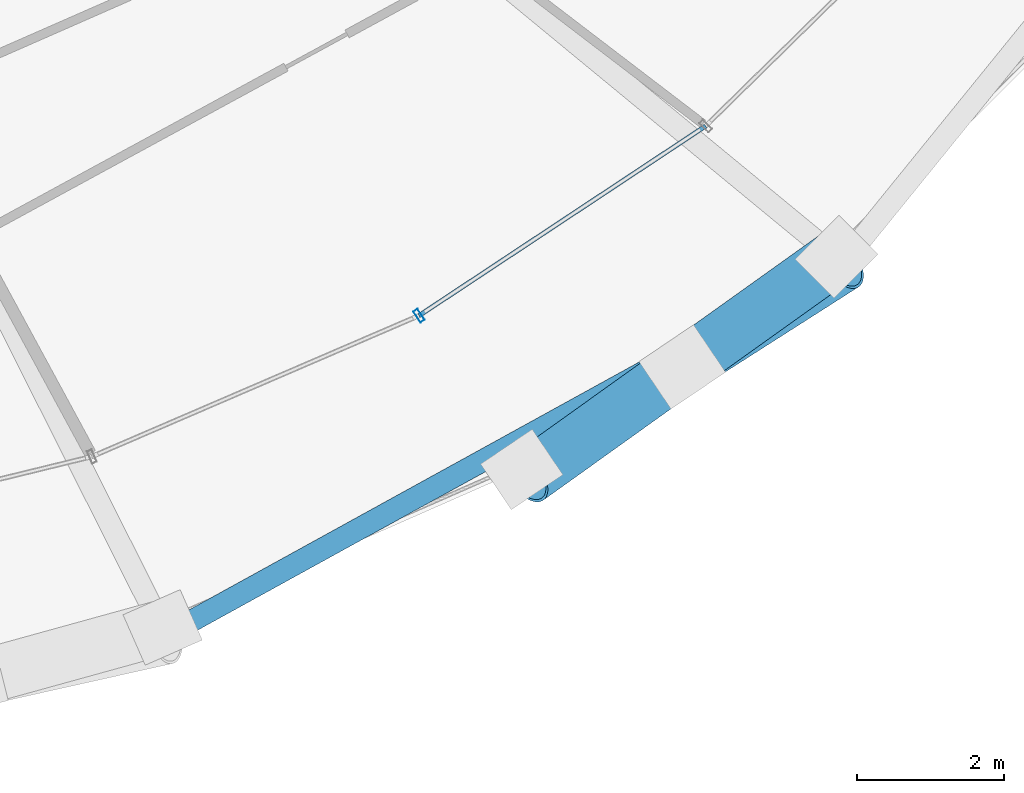
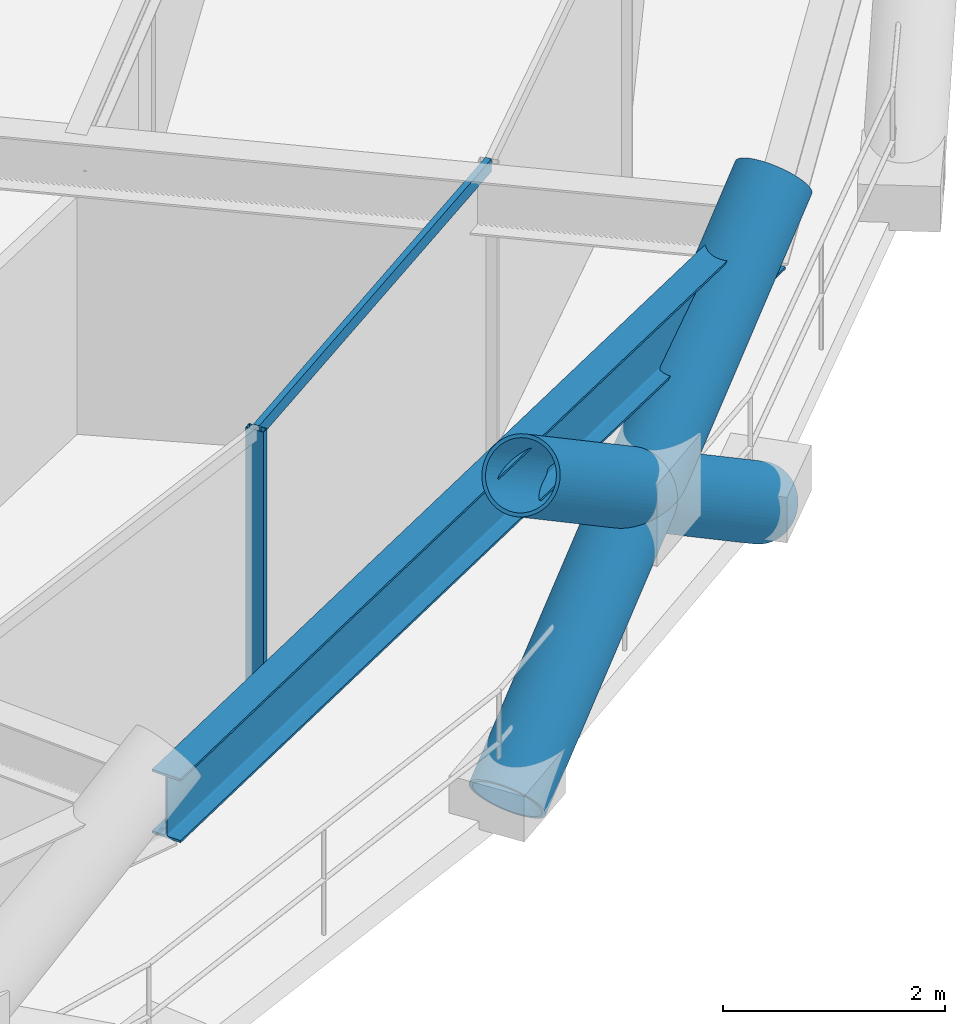
# One storey, part 7 of 20: 5 members, 1 beam, 1 element without a shape of its own.
"""IFC4 building model written with IfcOpenShell, lengths in metres."""

import ifcopenshell
import ifcopenshell.guid

model = None  # the IFC model being written
_history = None  # IfcOwnerHistory: only IFC2X3 demands one
_inside = {}  # id of a spatial element -> (the spatial element, [elements in it])
_under = {}  # id of a project, library or spatial element -> (it, [spatial elements below it])
_declared = {}  # id of a project -> (the project, [libraries it declares])
_typed = {}  # id of a type object -> (the type object, [elements of that type])
_made_of = {}  # id of a material, layer set ... -> (it, [elements and type objects made of it])


def new_model(schema):
    """Start an empty IFC model of exactly this schema.

    Asked for "IFC4X3", IfcOpenShell would pick the latest addendum, in which some entities
    have other attributes; the version numbers below select the first issue.
    IFC2X3 requires an IfcOwnerHistory on every rooted entity: one is made here for all.
    """
    global model, _history
    if schema == "IFC4X3":
        model = ifcopenshell.file(schema_version=(4, 3, 0, 0))
    else:
        model = ifcopenshell.file(schema=schema)
    _inside.clear()
    _under.clear()
    _declared.clear()
    _typed.clear()
    _made_of.clear()
    _history = None
    if model.schema == "IFC2X3":
        org = make("IfcOrganization", Name="unknown")
        user = make(
            "IfcPersonAndOrganization",
            ThePerson=make("IfcPerson", FamilyName="unknown"),
            TheOrganization=org,
        )
        app = make(
            "IfcApplication",
            ApplicationDeveloper=org,
            Version="unknown",
            ApplicationFullName="unknown",
            ApplicationIdentifier="unknown",
        )
        _history = make(
            "IfcOwnerHistory",
            OwningUser=user,
            OwningApplication=app,
            ChangeAction="ADDED",
            CreationDate=0,
        )
    return model


def make(cls, **values):
    """One entity of the class cls with the attributes given. An attribute that is None is left unset."""
    return model.create_entity(
        cls, **{name: value for name, value in values.items() if value is not None}
    )


def rooted(cls, **values):
    """An entity with a GlobalId (a new one), such as an element, a storey or a relation."""
    return make(cls, GlobalId=ifcopenshell.guid.new(), OwnerHistory=_history, **values)


def si_unit(unit_type, name, prefix=None):
    """IfcSIUnit, for example si_unit("LENGTHUNIT", "METRE", prefix="MILLI")."""
    return make("IfcSIUnit", UnitType=unit_type, Prefix=prefix, Name=name)


def assignment(units):
    """IfcUnitAssignment: the units of a project."""
    return None if units is None else make("IfcUnitAssignment", Units=units)


def point(xyz):
    """IfcCartesianPoint."""
    return None if xyz is None else make("IfcCartesianPoint", Coordinates=xyz)


def direction(xyz):
    """IfcDirection."""
    return None if xyz is None else make("IfcDirection", DirectionRatios=xyz)


def frame(location, z_axis=None, x_axis=None):
    """IfcAxis2Placement3D, a coordinate frame: its origin and axes. An axis left out is left unset."""
    return make(
        "IfcAxis2Placement3D",
        Location=point(location),
        Axis=direction(z_axis),
        RefDirection=direction(x_axis),
    )


def frame_2d(location, x_axis=None):
    """IfcAxis2Placement2D, a coordinate frame in the plane: its origin and x axis."""
    return make(
        "IfcAxis2Placement2D", Location=point(location), RefDirection=direction(x_axis)
    )


def origin():
    """The frame at (0, 0, 0) with its axes left unset."""
    return frame((0.0, 0.0, 0.0))


def origin_2d():
    """The frame at (0, 0) in the plane with its x axis left unset."""
    return frame_2d((0.0, 0.0))


def place(relative_to, where):
    """IfcLocalPlacement: puts the frame where relative to a parent placement (None: the world)."""
    return make(
        "IfcLocalPlacement", PlacementRelTo=relative_to, RelativePlacement=where
    )


def context(
    kind, dimensions, precision=None, world=None, true_north=None, identifier=None
):
    """IfcGeometricRepresentationContext, for example the 3D "Model" context."""
    return make(
        "IfcGeometricRepresentationContext",
        ContextIdentifier=identifier,
        ContextType=kind,
        CoordinateSpaceDimension=dimensions,
        Precision=precision,
        WorldCoordinateSystem=world,
        TrueNorth=true_north,
    )


def subcontext(parent, identifier, kind, view, scale=None):
    """IfcGeometricRepresentationSubContext, for example "Body" below "Model"."""
    return make(
        "IfcGeometricRepresentationSubContext",
        ContextIdentifier=identifier,
        ContextType=kind,
        ParentContext=parent,
        TargetScale=scale,
        TargetView=view,
    )


def project(units=None, contexts=None):
    """IfcProject with its units and contexts."""
    return rooted(
        "IfcProject",
        Name="project",
        RepresentationContexts=contexts,
        UnitsInContext=assignment(units),
    )


def spatial(cls, under=None, at=None, **own):
    """A site, building, storey or space (cls), placed at a placement, below another one or the project."""
    s = rooted(cls, ObjectPlacement=at, **own)
    if under is not None:
        _under.setdefault(under.id(), (under, []))[1].append(s)
    return s


def profile(cls, at=None, kind="AREA", **sizes):
    """A parametric profile (cls). Its sizes go by their IFC names, for example OverallWidth=200.0."""
    return make(cls, ProfileType=kind, Position=at, **sizes)


def hollow_rectangle(**sizes):
    """IfcRectangleHollowProfileDef."""
    return profile("IfcRectangleHollowProfileDef", **sizes)


def hollow_circle(**sizes):
    """IfcCircleHollowProfileDef."""
    return profile("IfcCircleHollowProfileDef", **sizes)


def i_section(**sizes):
    """IfcIShapeProfileDef."""
    return profile("IfcIShapeProfileDef", **sizes)


def extrude(swept, where, along, depth):
    """IfcExtrudedAreaSolid: the profile swept, set in the frame where, extruded along a direction by depth."""
    return make(
        "IfcExtrudedAreaSolid",
        SweptArea=swept,
        Position=where,
        ExtrudedDirection=direction(along),
        Depth=depth,
    )


def shape(context_of_items, identifier, shape_type, items):
    """IfcShapeRepresentation: the items that make up one representation, for example the "Body"."""
    return make(
        "IfcShapeRepresentation",
        ContextOfItems=context_of_items,
        RepresentationIdentifier=identifier,
        RepresentationType=shape_type,
        Items=items,
    )


def material(Name=None, Category=None):
    """IfcMaterial."""
    return make("IfcMaterial", Name=Name, Category=Category)


def layer(
    of_material, thickness, ventilated=None, Name=None, Category=None, Priority=None
):
    """IfcMaterialLayer: one layer of a wall or slab, of a material (None: an air gap)."""
    return make(
        "IfcMaterialLayer",
        Material=of_material,
        LayerThickness=thickness,
        IsVentilated=ventilated,
        Name=Name,
        Category=Category,
        Priority=Priority,
    )


def layer_set(layers, Name=None):
    """IfcMaterialLayerSet."""
    return make("IfcMaterialLayerSet", MaterialLayers=layers, LayerSetName=Name)


def material_profile(
    of_material, cross_section, Name=None, Category=None, Priority=None
):
    """IfcMaterialProfile: a cross section and its material."""
    return make(
        "IfcMaterialProfile",
        Name=Name,
        Material=of_material,
        Profile=cross_section,
        Priority=Priority,
        Category=Category,
    )


def profile_set(profiles, Name=None, composite=None):
    """IfcMaterialProfileSet."""
    return make(
        "IfcMaterialProfileSet",
        Name=Name,
        MaterialProfiles=profiles,
        CompositeProfile=composite,
    )


def made_of(thing, what):
    """Note that an element or type object is made of a material, layer set ...; save() writes the relation."""
    if what is not None:
        _made_of.setdefault(what.id(), (what, []))[1].append(thing)
    return thing


def type_object(cls, material=None, **own):
    """A type object (cls), such as IfcWallType, which elements share."""
    return made_of(rooted(cls, **own), material)


def element(
    cls,
    number,
    at=None,
    inside=None,
    cuts=None,
    type_object=None,
    material=None,
    context=None,
    identifier="Body",
    shape_type=None,
    held_by="IfcProductDefinitionShape",
    body=None,
    shapes=None,
    **own,
):
    """One element of the class cls, such as IfcWall. Its Tag is "e" and its number.

    at: its placement. inside: the storey or other place that contains it. cuts: it is an
    opening in that element (IfcRelVoidsElement). A single representation is given by context,
    identifier, shape_type and body (its items); several are given by shapes. held_by: the class
    of the entity that holds the representations. save() writes the other relations.
    """
    e = rooted(cls, Tag="e%d" % number, ObjectPlacement=at, **own)
    if body is not None:
        shapes = [shape(context, identifier, shape_type, body)]
    if shapes is not None:
        e.Representation = make(held_by, Representations=shapes)
    if inside is not None:
        _inside.setdefault(inside.id(), (inside, []))[1].append(e)
    if cuts is not None:
        rooted(
            "IfcRelVoidsElement", RelatingBuildingElement=cuts, RelatedOpeningElement=e
        )
    if type_object is not None:
        _typed.setdefault(type_object.id(), (type_object, []))[1].append(e)
    return made_of(e, material)


def aggregate(whole, parts):
    """IfcRelAggregates: a whole, such as a stair, and the parts it consists of."""
    return rooted("IfcRelAggregates", RelatingObject=whole, RelatedObjects=parts)


def save(model, path):
    """Write the relations noted so far, then the file.

    IfcRelAggregates (storeys below a building ...), IfcRelContainedInSpatialStructure (elements
    in a storey), IfcRelDefinesByType, IfcRelAssociatesMaterial and IfcRelDeclares: one each for
    every whole, place, type object, material and project.
    """
    for whole, parts in _under.values():
        aggregate(whole, parts)
    for where, things in _inside.values():
        rooted(
            "IfcRelContainedInSpatialStructure",
            RelatedElements=things,
            RelatingStructure=where,
        )
    for kind, things in _typed.values():
        rooted("IfcRelDefinesByType", RelatedObjects=things, RelatingType=kind)
    for what, things in _made_of.values():
        rooted("IfcRelAssociatesMaterial", RelatedObjects=things, RelatingMaterial=what)
    for by, libraries in _declared.values():
        rooted("IfcRelDeclares", RelatingContext=by, RelatedDefinitions=libraries)
    model.write(path)


model = new_model("IFC4")

# Units and contexts
model_context = context("Model", 3, precision=1e-05, world=origin(), true_north=direction((0.0, 1.0)))
body_context = subcontext(model_context, "Body", "Model", "MODEL_VIEW")
ifc_project = project(units=[si_unit("LENGTHUNIT", "METRE"), si_unit("AREAUNIT", "SQUARE_METRE"), si_unit("VOLUMEUNIT", "CUBIC_METRE"), si_unit("PLANEANGLEUNIT", "RADIAN"), si_unit("MASSUNIT", "GRAM", prefix="KILO")], contexts=[model_context])

# Site, building, storey
site_placement = place(None, origin())
site = spatial("IfcSite", under=ifc_project, at=site_placement, CompositionType="ELEMENT")
building_placement = place(site_placement, origin())
building = spatial("IfcBuilding", under=site, at=building_placement, Name="Veldorina Hangang Commons", CompositionType="ELEMENT")
storey_placement = place(building_placement, frame((0.0, 0.0, 48.39990234375)))
storey = spatial("IfcBuildingStorey", under=building, at=storey_placement, Name="L11", CompositionType="ELEMENT", Elevation=48.39990234375)

# Beam
ifc_material_1 = material(Name="Steel SM460-TMC", Category="steel")
ifc_material_profile_1 = material_profile(ifc_material_1, i_section(OverallWidth=0.300048828125, OverallDepth=0.699951171875, WebThickness=0.012939453125, FlangeThickness=0.02392578125, FilletRadius=0.02197265625, at=origin_2d()), Name="H-700x300x13x24")
ifc_profile_set_1 = profile_set([ifc_material_profile_1], Name="Steel SM460-TMC")
beam_type = type_object("IfcBeamType", Name="BM-RB700", PredefinedType="BEAM", material=ifc_profile_set_1)
beam_placement = place(storey_placement, frame((42.872802734375, 2.3701171875, 2.989990234375), z_axis=(0.875992923986, 0.482323954544, 0.0), x_axis=(-0.482323954544, 0.875992923986, 0.0)))
element("IfcBeam", 1, at=beam_placement, inside=storey, type_object=beam_type, Name="L11 perimeter hoop ring beam 26", PredefinedType="BEAM", context=body_context, shape_type="SweptSolid", body=[
    extrude(i_section(OverallWidth=0.300048828125, OverallDepth=0.699951171875, WebThickness=0.012939453125, FlangeThickness=0.02392578125, FilletRadius=0.02197265625, at=origin_2d()), origin(), (0.0, 0.0, 1.0), 10.5224609375),
])

# Curtain wall, members
ifc_material_2 = material(Name="Glass Low-E Triple IGU", Category="glass")
ifc_layer = layer(ifc_material_2, 0.179931640625)
ifc_layer_set = layer_set([ifc_layer], Name="Glass Low-E Triple IGU")
curtain_wall_type = type_object("IfcCurtainWallType", Name="CW-SYS-Z1", PredefinedType="NOTDEFINED", material=ifc_layer_set)
curtain_wall_placement = place(storey_placement, origin())
curtain_wall = element("IfcCurtainWall", 2, at=curtain_wall_placement, inside=storey, type_object=curtain_wall_type, Name="L11 unitised curtain wall CW-L11-R2", PredefinedType="NOTDEFINED")
ifc_material_3 = material(Name="Aluminium Anodized AA6063-T6", Category="aluminium")
ifc_material_profile_2 = material_profile(ifc_material_3, hollow_rectangle(XDim=0.070068359375, YDim=0.179931640625, WallThickness=0.00390625, at=origin_2d()), Name="ALU-RHS-180x70x4")
ifc_profile_set_2 = profile_set([ifc_material_profile_2], Name="Aluminium Anodized AA6063-T6")
member_type_1 = type_object("IfcMemberType", Name="CW-MUL-180", PredefinedType="MULLION", material=ifc_profile_set_2)
member_1_placement = place(storey_placement, frame((46.321533203125, 6.7236328125, 0.0), z_axis=(0.0, 0.0, 1.0), x_axis=(0.834039919434, 0.551704098944, 0.0)))
member_1 = element("IfcMember", 3, at=member_1_placement, type_object=member_type_1, Name="CW-L11-R2 vertical mullion 3", PredefinedType="MULLION", context=body_context, shape_type="SweptSolid", body=[
    extrude(hollow_rectangle(XDim=0.070068359375, YDim=0.179931640625, WallThickness=0.00390625, at=origin_2d()), origin(), (0.0, 0.0, 1.0), 3.300048828125),
])
ifc_material_profile_3 = material_profile(ifc_material_3, hollow_rectangle(XDim=0.06005859375, YDim=0.139892578125, WallThickness=0.00341796875, at=origin_2d()), Name="ALU-RHS-140x60x3.5")
ifc_profile_set_3 = profile_set([ifc_material_profile_3], Name="Aluminium Anodized AA6063-T6")
member_type_2 = type_object("IfcMemberType", Name="CW-TRN-140", PredefinedType="USERDEFINED", material=ifc_profile_set_3)
member_2_placement = place(storey_placement, frame((46.321533203125, 6.7236328125, 3.260009765625), z_axis=(0.834033795951, 0.551713356021, 0.0), x_axis=(-0.551713356021, 0.834033795951, 0.0)))
member_2 = element("IfcMember", 4, at=member_2_placement, type_object=member_type_2, Name="CW-L11-R2 facet 3 transom 1", ObjectType="TRANSOM", PredefinedType="USERDEFINED", context=body_context, shape_type="SweptSolid", body=[
    extrude(hollow_rectangle(XDim=0.06005859375, YDim=0.139892578125, WallThickness=0.00341796875, at=origin_2d()), origin(), (0.0, 0.0, 1.0), 4.68359375),
])
aggregate(curtain_wall, [member_1, member_2])

# Members
ifc_material_profile_4 = material_profile(ifc_material_1, hollow_circle(Radius=0.375, WallThickness=0.035888671875, at=origin_2d()), Name="CHS-750x36")
ifc_profile_set_4 = profile_set([ifc_material_profile_4], Name="Steel SM460-TMC")
member_type_3 = type_object("IfcMemberType", Name="DG-CHS750", PredefinedType="BRACE", material=ifc_profile_set_4)
member_3_placement = place(storey_placement, frame((47.721435546875, 4.62841796875, 0.0), z_axis=(0.693085453807, 0.442583796636, 0.568992211438), x_axis=(-0.538198591729, 0.842818056202, 0.0)))
element("IfcMember", 5, at=member_3_placement, inside=storey, type_object=member_type_3, Name="L11 continuous perimeter diagrid brace 27", PredefinedType="BRACE", context=body_context, shape_type="SweptSolid", body=[
    extrude(hollow_circle(Radius=0.375, WallThickness=0.035888671875, at=origin_2d()), origin(), (0.0, 0.0, 1.0), 6.3271484375),
])
member_4_placement = place(storey_placement, frame((52.009765625, 7.52587890625, 0.0), z_axis=(-0.668113924161, -0.477235320755, 0.57085044711), x_axis=(0.581247136891, -0.813727083153, 0.0)))
element("IfcMember", 6, at=member_4_placement, inside=storey, type_object=member_type_3, Name="L11 split perimeter diagrid lower brace 28", PredefinedType="BRACE", context=body_context, shape_type="SweptSolid", body=[
    extrude(hollow_circle(Radius=0.375, WallThickness=0.035888671875, at=origin_2d()), origin(), (0.0, 0.0, 1.0), 3.145263671875),
])
member_5_placement = place(storey_placement, frame((49.908447265625, 6.02490234375, 1.79541015625), z_axis=(-0.667658827113, -0.477825929826, 0.570888843264), x_axis=(0.581985390652, -0.813199240696, 0.0)))
element("IfcMember", 7, at=member_5_placement, inside=storey, type_object=member_type_3, Name="L11 split perimeter diagrid upper brace 28", PredefinedType="BRACE", context=body_context, shape_type="SweptSolid", body=[
    extrude(hollow_circle(Radius=0.375, WallThickness=0.035888671875, at=origin_2d()), origin(), (0.0, 0.0, 1.0), 3.1611328125),
])

save(model, "model.ifc")
